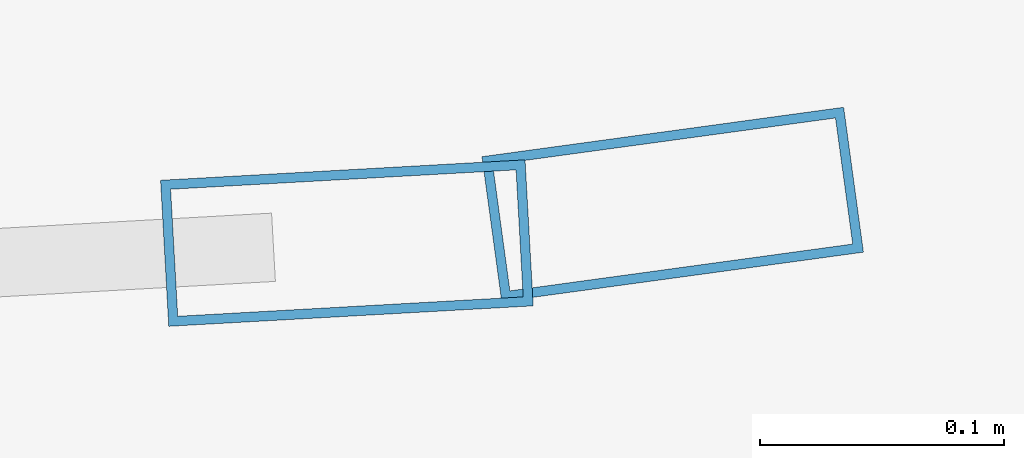
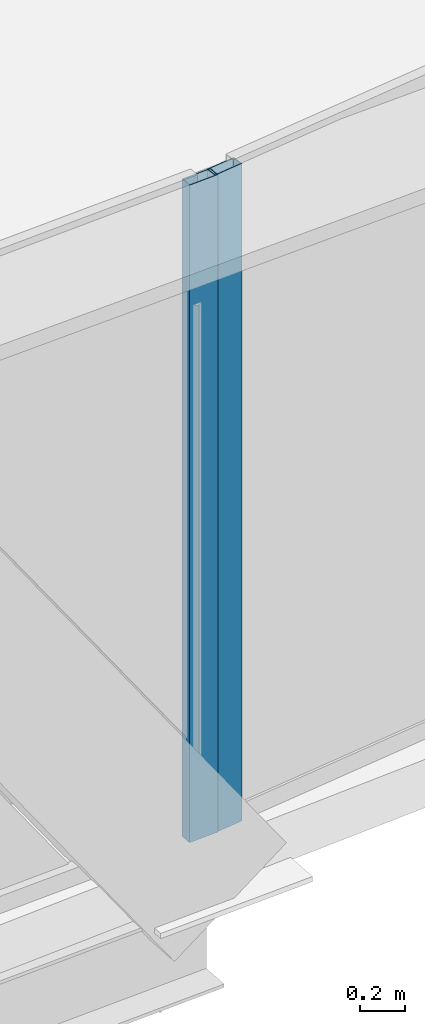
# One storey, part 14 of 37: 2 members, 2 elements without a shape of their own.
"""IFC4 building model written with IfcOpenShell, lengths in metres."""

from ifc_helpers import new_model, si_unit, direction, frame, origin, origin_2d, place, context, subcontext, project, spatial, hollow_rectangle, extrude, source, transform, mapped, material, layer, layer_set, material_profile, profile_set, type_object, element, aggregate, save


model = new_model("IFC4")

# Units and contexts
model_context = context("Model", 3, precision=1e-05, world=origin(), true_north=direction((0.0, 1.0)))
body_context = subcontext(model_context, "Body", "Model", "MODEL_VIEW")
ifc_project = project(units=[si_unit("LENGTHUNIT", "METRE"), si_unit("AREAUNIT", "SQUARE_METRE"), si_unit("VOLUMEUNIT", "CUBIC_METRE"), si_unit("PLANEANGLEUNIT", "RADIAN"), si_unit("MASSUNIT", "GRAM", prefix="KILO"), si_unit("THERMODYNAMICTEMPERATUREUNIT", "KELVIN"), si_unit("POWERUNIT", "WATT")], contexts=[model_context])

# Site, building, storey
site_placement = place(None, origin())
site = spatial("IfcSite", under=ifc_project, at=site_placement, CompositionType="ELEMENT")
building_placement = place(site_placement, origin())
building = spatial("IfcBuilding", under=site, at=building_placement, Name="Yunzhuo Pagoda Commons", CompositionType="ELEMENT")
storey_placement = place(building_placement, frame((0.0, 0.0, 192.360107421875)))
storey = spatial("IfcBuildingStorey", under=building, at=storey_placement, Name="L48", CompositionType="ELEMENT", Elevation=192.360107421875)

# Curtain wall, member
ifc_material = material(Name="Anodized aluminium 6063-T6", Category="aluminium")
ifc_layer = layer(ifc_material, 0.14990234375)
ifc_layer_set = layer_set([ifc_layer], Name="Anodized aluminium 6063-T6")
curtain_wall_type = type_object("IfcCurtainWallType", Name="CW-MID Mid-Zone Ribbon Curtain Wall", PredefinedType="NOTDEFINED", material=ifc_layer_set)
curtain_wall_1_placement = place(storey_placement, origin())
curtain_wall_1 = element("IfcCurtainWall", 1, at=curtain_wall_1_placement, inside=storey, type_object=curtain_wall_type, Name="L48 curtain wall CW-L48-F1B4", PredefinedType="NOTDEFINED")
ifc_material_profile = material_profile(ifc_material, hollow_rectangle(XDim=0.06005859375, YDim=0.14990234375, WallThickness=0.00390625, at=origin_2d()), Name="Anodized aluminium 6063-T6")
ifc_profile_set = profile_set([ifc_material_profile], Name="Anodized aluminium 6063-T6")
member_type = type_object("IfcMemberType", Name="CW-MID-M Mullion RHS 150x60x4", PredefinedType="MULLION", material=ifc_profile_set)
shared_shape = source(origin(), body_context, "Body", "SweptSolid", [
    extrude(hollow_rectangle(XDim=0.06005859375, YDim=0.14990234375, WallThickness=0.00390625, at=origin_2d()), origin(), (0.0, 0.0, 1.0), 3.539794921875),
])
member_1_placement = place(storey_placement, frame((63.804931640625, 14.827392578125, 0.0), z_axis=(0.0, 0.0, 1.0), x_axis=(-0.055982959182, 0.998431724396, 0.0)))
member_1 = element("IfcMember", 2, at=member_1_placement, type_object=member_type, Name="CW mullion 2", PredefinedType="MULLION", context=body_context, shape_type="MappedRepresentation", body=[
    mapped(shared_shape, transform((0.0, 0.0, 0.0), scale=1.0)),
])
aggregate(curtain_wall_1, [member_1])

curtain_wall_2_placement = place(storey_placement, origin())
curtain_wall_2 = element("IfcCurtainWall", 3, at=curtain_wall_2_placement, inside=storey, type_object=curtain_wall_type, Name="L48 curtain wall CW-L48-F1B5", PredefinedType="NOTDEFINED")
member_2_placement = place(storey_placement, frame((63.938720703125, 14.84326171875, 0.0), z_axis=(0.0, 0.0, 1.0), x_axis=(-0.135312015534, 0.990803037163, 0.0)))
member_2 = element("IfcMember", 4, at=member_2_placement, type_object=member_type, Name="CW mullion 1", PredefinedType="MULLION", context=body_context, shape_type="MappedRepresentation", body=[
    mapped(shared_shape, transform((0.0, 0.0, 0.0), scale=1.0)),
])
aggregate(curtain_wall_2, [member_2])

save(model, "model.ifc")
